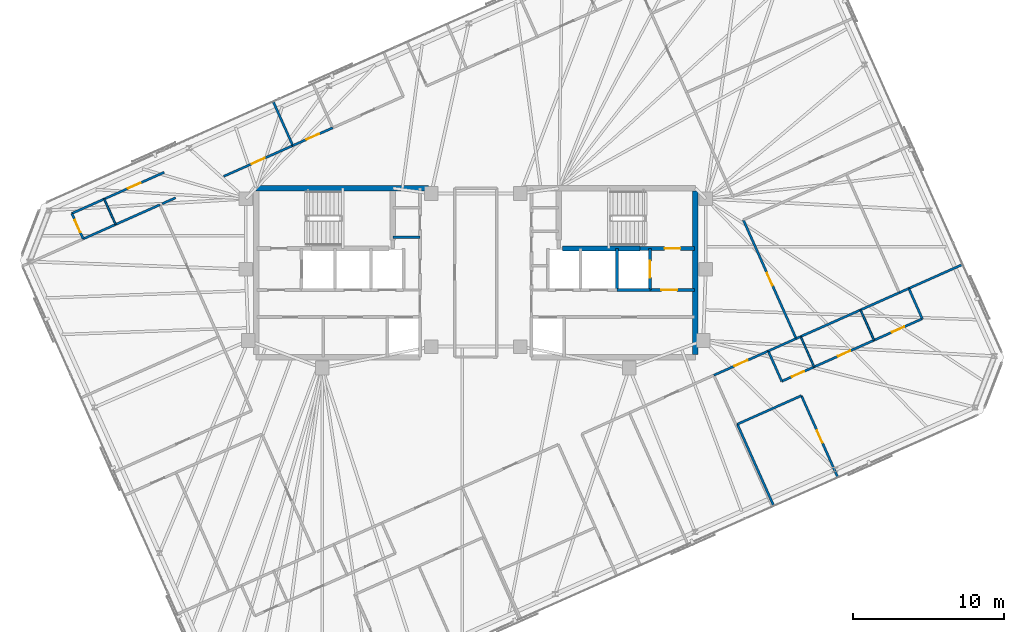
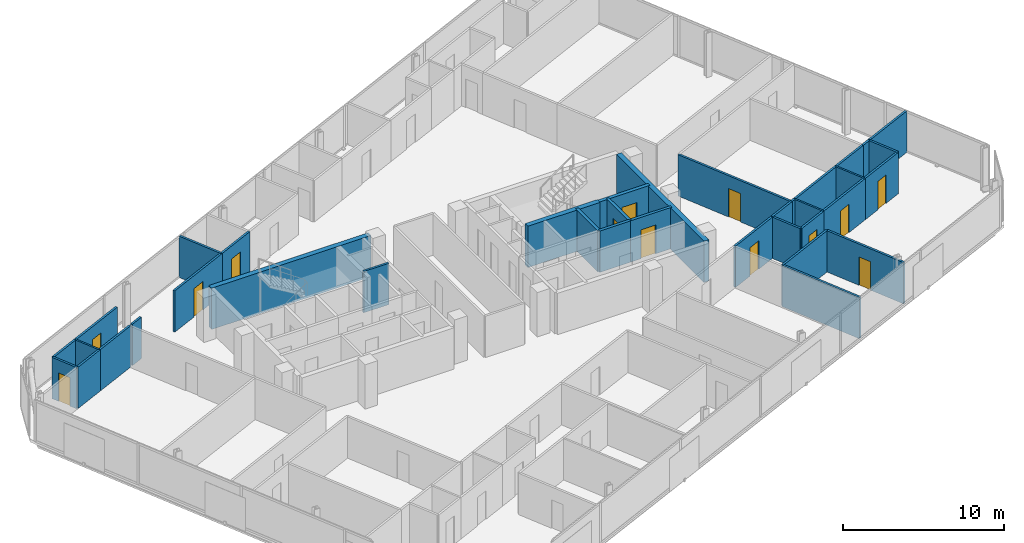
# One storey, part 15 of 18: 37 walls, 13 doors, 13 openings.
"""IFC4 building model written with IfcOpenShell, lengths in metres."""

from ifc_helpers import new_model, si_unit, direction, frame, frame_2d, origin, place, context, subcontext, project, spatial, rectangle, extrude, material, layer, layer_set, type_object, element, fill, save


model = new_model("IFC4")

# Units and contexts
model_context = context("Model", 3, precision=1e-05, world=origin(), true_north=direction((0.0, 1.0)))
body_context = subcontext(model_context, "Body", "Model", "MODEL_VIEW")
ifc_project = project(units=[si_unit("LENGTHUNIT", "METRE"), si_unit("AREAUNIT", "SQUARE_METRE"), si_unit("VOLUMEUNIT", "CUBIC_METRE"), si_unit("PLANEANGLEUNIT", "RADIAN"), si_unit("MASSUNIT", "GRAM", prefix="KILO")], contexts=[model_context])

# Site, building, storey
site_placement = place(None, origin())
site = spatial("IfcSite", under=ifc_project, at=site_placement, CompositionType="ELEMENT")
building_placement = place(site_placement, origin())
building = spatial("IfcBuilding", under=site, at=building_placement, Name="Menara Jurai Vektor", CompositionType="ELEMENT")
storey_placement = place(building_placement, frame((0.0, 0.0, 298.64990234375)))
storey = spatial("IfcBuildingStorey", under=building, at=storey_placement, Name="L80", CompositionType="ELEMENT", Elevation=298.64990234375)

# Wall, opening, door
ifc_material_1 = material(Name="Concrete C40/50", Category="concrete")
ifc_layer_1 = layer(ifc_material_1, 0.25)
ifc_layer_set_1 = layer_set([ifc_layer_1], Name="Concrete C40/50")
wall_type_1 = type_object("IfcWallType", Name="INT-WALL-CORE-250", PredefinedType="STANDARD", material=ifc_layer_set_1)
wall_1_placement = place(storey_placement, frame((10.89990234375, 1.60009765625, 0.0), z_axis=(0.0, 0.0, 1.0), x_axis=(1.0, 0.0, 0.0)))
wall_1 = element("IfcWall", 1, at=wall_1_placement, inside=storey, type_object=wall_type_1, Name="Interior Wall IW-250 L80", PredefinedType="STANDARD", context=body_context, shape_type="SweptSolid", body=[
    extrude(rectangle(XDim=3.60009765625, YDim=0.25, at=frame_2d((1.800048828125, 0.0))), origin(), (0.0, 0.0, 1.0), 3.125),
])
opening_1_placement = place(wall_1_placement, frame((1.6201171875, 0.0, 0.0)))
opening_1 = element("IfcOpeningElement", 2, at=opening_1_placement, cuts=wall_1, Name="Opening D-L80-ST2", PredefinedType="OPENING", context=body_context, shape_type="SweptSolid", body=[
    extrude(rectangle(XDim=1.050048828125, YDim=2.14990234375, at=frame_2d((0.52490234375, 1.074951171875))), frame((0.0, 0.135009765625, 0.0), z_axis=(0.0, -1.0, 0.0), x_axis=(1.0, 0.0, 0.0)), (0.0, 0.0, 1.0), 0.27001953125),
])
ifc_material_2 = material(Name="Fire-Rated Steel Door", Category="steel")
door_type_1 = type_object("IfcDoorType", Name="DR-STAIR-1050", OperationType="NOTDEFINED", PredefinedType="DOOR", material=ifc_material_2)
door_1_placement = place(opening_1_placement, origin())
door_1 = element("IfcDoor", 3, at=door_1_placement, inside=storey, type_object=door_type_1, Name="Exit Stair ST2 Door L80", OperationType="SINGLE_SWING_LEFT", OverallHeight=2.14990234375, OverallWidth=1.050048828125, PredefinedType="DOOR", context=body_context, shape_type="SweptSolid", body=[
    extrude(rectangle(XDim=1.050048828125, YDim=2.14990234375, at=frame_2d((0.52490234375, 1.074951171875))), frame((0.0, 0.02490234375, 0.0), z_axis=(0.0, -1.0, 0.0), x_axis=(1.0, 0.0, 0.0)), (0.0, 0.0, 1.0), 0.050048828125),
])
fill(opening_1, door_1)

wall_2_placement = place(storey_placement, frame((11.550048828125, -1.14990234375, 0.0), z_axis=(0.0, 0.0, 1.0), x_axis=(0.0, 1.0, 0.0)))
wall_2 = element("IfcWall", 4, at=wall_2_placement, inside=storey, type_object=wall_type_1, Name="Interior Wall IW-250 L80", PredefinedType="STANDARD", context=body_context, shape_type="SweptSolid", body=[
    extrude(rectangle(XDim=2.75, YDim=0.199951171875, at=frame_2d((1.375, 0.0))), origin(), (0.0, 0.0, 1.0), 3.125),
])
opening_2_placement = place(wall_2_placement, frame((0.824951171875, 0.0, 0.0)))
opening_2 = element("IfcOpeningElement", 5, at=opening_2_placement, cuts=wall_2, Name="Opening LD-L80-FL2", PredefinedType="OPENING", context=body_context, shape_type="SweptSolid", body=[
    extrude(rectangle(XDim=1.10009765625, YDim=2.14990234375, at=frame_2d((0.550048828125, 1.074951171875))), frame((0.0, 0.10986328125, 0.0), z_axis=(0.0, -1.0, 0.0), x_axis=(1.0, 0.0, 0.0)), (0.0, 0.0, 1.0), 0.219970703125),
])
ifc_material_3 = material(Name="Stainless Steel Sliding Lift Landing Door", Category="steel")
door_type_2 = type_object("IfcDoorType", Name="DR-LIFT-FIRE-1100", OperationType="NOTDEFINED", PredefinedType="DOOR", material=ifc_material_3)
door_2_placement = place(opening_2_placement, origin())
door_2 = element("IfcDoor", 6, at=door_2_placement, inside=storey, type_object=door_type_2, Name="Lift Landing Door FL2 L80", OperationType="SLIDING_TO_RIGHT", OverallHeight=2.14990234375, OverallWidth=1.10009765625, PredefinedType="DOOR", context=body_context, shape_type="SweptSolid", body=[
    extrude(rectangle(XDim=1.10009765625, YDim=2.14990234375, at=frame_2d((0.550048828125, 1.074951171875))), frame((0.0, 0.02490234375, 0.0), z_axis=(0.0, -1.0, 0.0), x_axis=(1.0, 0.0, 0.0)), (0.0, 0.0, 1.0), 0.050048828125),
])
fill(opening_2, door_2)

# Wall
wall_3_placement = place(storey_placement, frame((9.35009765625, -1.14990234375, 0.0), z_axis=(0.0, 0.0, 1.0), x_axis=(0.0, 1.0, 0.0)))
element("IfcWall", 7, at=wall_3_placement, inside=storey, type_object=wall_type_1, Name="Interior Wall IW-250 L80", PredefinedType="STANDARD", context=body_context, shape_type="SweptSolid", body=[
    extrude(rectangle(XDim=2.75, YDim=0.199951171875, at=frame_2d((1.375, 0.0))), origin(), (0.0, 0.0, 1.0), 3.125),
])

# Wall, opening, door
wall_4_placement = place(storey_placement, frame((11.550048828125, -1.14990234375, 0.0), z_axis=(0.0, 0.0, 1.0), x_axis=(1.0, 0.0, 0.0)))
wall_4 = element("IfcWall", 8, at=wall_4_placement, inside=storey, type_object=wall_type_1, Name="Interior Wall IW-250 L80", PredefinedType="STANDARD", context=body_context, shape_type="SweptSolid", body=[
    extrude(rectangle(XDim=2.949951171875, YDim=0.199951171875, at=frame_2d((1.47509765625, 0.0))), origin(), (0.0, 0.0, 1.0), 3.125),
])
opening_3_placement = place(wall_4_placement, frame((0.75, 0.0, 0.0)))
opening_3 = element("IfcOpeningElement", 9, at=opening_3_placement, cuts=wall_4, Name="Opening D-L80-FFE", PredefinedType="OPENING", context=body_context, shape_type="SweptSolid", body=[
    extrude(rectangle(XDim=1.050048828125, YDim=2.179931640625, at=frame_2d((0.52490234375, 1.08984375))), frame((0.0, 0.10986328125, 0.0), z_axis=(0.0, -1.0, 0.0), x_axis=(1.0, 0.0, 0.0)), (0.0, 0.0, 1.0), 0.219970703125),
])
ifc_material_4 = material(Name="Fire-Rated Timber Door", Category="wood")
door_type_3 = type_object("IfcDoorType", Name="DR-LOBBY-1050", OperationType="NOTDEFINED", PredefinedType="DOOR", material=ifc_material_4)
door_3_placement = place(opening_3_placement, origin())
door_3 = element("IfcDoor", 10, at=door_3_placement, inside=storey, type_object=door_type_3, Name="Fire Lift Lobby Door E L80", OperationType="SINGLE_SWING_LEFT", OverallHeight=2.179931640625, OverallWidth=1.050048828125, PredefinedType="DOOR", context=body_context, shape_type="SweptSolid", body=[
    extrude(rectangle(XDim=1.050048828125, YDim=2.179931640625, at=frame_2d((0.52490234375, 1.08984375))), frame((0.0, 0.02490234375, 0.0), z_axis=(0.0, -1.0, 0.0), x_axis=(1.0, 0.0, 0.0)), (0.0, 0.0, 1.0), 0.050048828125),
])
fill(opening_3, door_3)

# Walls
wall_5_placement = place(storey_placement, frame((9.35009765625, -1.14990234375, 0.0), z_axis=(0.0, 0.0, 1.0), x_axis=(1.0, 0.0, 0.0)))
element("IfcWall", 11, at=wall_5_placement, inside=storey, type_object=wall_type_1, Name="Interior Wall IW-250 L80", PredefinedType="STANDARD", context=body_context, shape_type="SweptSolid", body=[
    extrude(rectangle(XDim=2.199951171875, YDim=0.199951171875, at=frame_2d((1.10009765625, 0.0))), origin(), (0.0, 0.0, 1.0), 3.125),
])
ifc_material_5 = material(Name="Gypsum Fireboard Partition", Category="gypsum")
ifc_layer_2 = layer(ifc_material_5, 0.14990234375)
ifc_layer_set_2 = layer_set([ifc_layer_2], Name="Gypsum Fireboard Partition")
wall_type_2 = type_object("IfcWallType", Name="INT-WALL-CORR-150", PredefinedType="PARTITIONING", material=ifc_layer_set_2)
wall_6_placement = place(storey_placement, frame((-5.5, 2.35009765625, 0.0), z_axis=(0.0, 0.0, 1.0), x_axis=(1.0, 0.0, 0.0)))
element("IfcWall", 12, at=wall_6_placement, inside=storey, type_object=wall_type_2, Name="Interior Wall IW-150 L80", PredefinedType="PARTITIONING", context=body_context, shape_type="SweptSolid", body=[
    extrude(rectangle(XDim=1.800048828125, YDim=0.14990234375, at=frame_2d((0.89990234375, 0.0))), origin(), (0.0, 0.0, 1.0), 3.125),
])

# Wall, opening, door
wall_7_placement = place(storey_placement, frame((-16.715576171875, 6.38671875, 0.0), z_axis=(0.0, 0.0, 1.0), x_axis=(0.913548379071, 0.406730081378, 0.0)))
wall_7 = element("IfcWall", 13, at=wall_7_placement, inside=storey, type_object=wall_type_2, Name="Interior Wall IW-150 L80", PredefinedType="PARTITIONING", context=body_context, shape_type="SweptSolid", body=[
    extrude(rectangle(XDim=5.01513671875, YDim=0.14990234375, at=frame_2d((2.507568359375, 0.0))), origin(), (0.0, 0.0, 1.0), 3.125),
])
opening_4_placement = place(wall_7_placement, frame((2.032470703125, 0.0, 0.0)))
opening_4 = element("IfcOpeningElement", 14, at=opening_4_placement, cuts=wall_7, Name="Opening D80-10", PredefinedType="OPENING", context=body_context, shape_type="SweptSolid", body=[
    extrude(rectangle(XDim=0.949951171875, YDim=2.14990234375, at=frame_2d((0.47509765625, 1.074951171875))), frame((0.0, 0.0849609375, 0.0), z_axis=(0.0, -1.0, 0.0), x_axis=(1.0, 0.0, 0.0)), (0.0, 0.0, 1.0), 0.169921875),
])
ifc_material_6 = material(Name="Solid Core Timber Fire Door", Category="wood")
door_type_4 = type_object("IfcDoorType", Name="DR-ENTRY-950", OperationType="NOTDEFINED", PredefinedType="DOOR", material=ifc_material_6)
door_4_placement = place(opening_4_placement, origin())
door_4 = element("IfcDoor", 15, at=door_4_placement, inside=storey, type_object=door_type_4, Name="Interior Door D80-10", OperationType="SINGLE_SWING_RIGHT", OverallHeight=2.14990234375, OverallWidth=0.949951171875, PredefinedType="DOOR", context=body_context, shape_type="SweptSolid", body=[
    extrude(rectangle(XDim=0.949951171875, YDim=2.14990234375, at=frame_2d((0.47509765625, 1.074951171875))), frame((0.0, 0.02490234375, 0.0), z_axis=(0.0, -1.0, 0.0), x_axis=(1.0, 0.0, 0.0)), (0.0, 0.0, 1.0), 0.050048828125),
])
fill(opening_4, door_4)

# Wall
wall_8_placement = place(storey_placement, frame((-20.7998046875, 4.568115234375, 0.0), z_axis=(0.0, 0.0, 1.0), x_axis=(0.91350021443, 0.406838245788, 0.0)))
element("IfcWall", 16, at=wall_8_placement, inside=storey, type_object=wall_type_2, Name="Interior Wall IW-150 L80", PredefinedType="PARTITIONING", context=body_context, shape_type="SweptSolid", body=[
    extrude(rectangle(XDim=0.970947265625, YDim=0.14990234375, at=frame_2d((0.4853515625, 0.0))), origin(), (0.0, 0.0, 1.0), 3.125),
])

# Wall, opening, door
wall_9_placement = place(storey_placement, frame((15.787109375, -6.80029296875, 0.0), z_axis=(0.0, 0.0, 1.0), x_axis=(0.913558844356, 0.406706574693, 0.0)))
wall_9 = element("IfcWall", 17, at=wall_9_placement, inside=storey, type_object=wall_type_2, Name="Interior Wall IW-150 L80", PredefinedType="PARTITIONING", context=body_context, shape_type="SweptSolid", body=[
    extrude(rectangle(XDim=3.94677734375, YDim=0.14990234375, at=frame_2d((1.973388671875, 0.0))), origin(), (0.0, 0.0, 1.0), 3.125),
])
opening_5_placement = place(wall_9_placement, frame((1.49853515625, 0.0, 0.0)))
opening_5 = element("IfcOpeningElement", 18, at=opening_5_placement, cuts=wall_9, Name="Opening D80-22", PredefinedType="OPENING", context=body_context, shape_type="SweptSolid", body=[
    extrude(rectangle(XDim=0.949951171875, YDim=2.14990234375, at=frame_2d((0.47509765625, 1.074951171875))), frame((0.0, 0.0849609375, 0.0), z_axis=(0.0, -1.0, 0.0), x_axis=(1.0, 0.0, 0.0)), (0.0, 0.0, 1.0), 0.169921875),
])
door_5_placement = place(opening_5_placement, origin())
door_5 = element("IfcDoor", 19, at=door_5_placement, inside=storey, type_object=door_type_4, Name="Interior Door D80-22", OperationType="SINGLE_SWING_RIGHT", OverallHeight=2.14990234375, OverallWidth=0.949951171875, PredefinedType="DOOR", context=body_context, shape_type="SweptSolid", body=[
    extrude(rectangle(XDim=0.949951171875, YDim=2.14990234375, at=frame_2d((0.47509765625, 1.074951171875))), frame((0.0, 0.02490234375, 0.0), z_axis=(0.0, -1.0, 0.0), x_axis=(1.0, 0.0, 0.0)), (0.0, 0.0, 1.0), 0.050048828125),
])
fill(opening_5, door_5)

# Wall
wall_10_placement = place(storey_placement, frame((19.392822265625, -5.195068359375, 0.0), z_axis=(0.0, 0.0, 1.0), x_axis=(0.91354290336, 0.406742380039, 0.0)))
element("IfcWall", 20, at=wall_10_placement, inside=storey, type_object=wall_type_2, Name="Interior Wall IW-150 L80", PredefinedType="PARTITIONING", context=body_context, shape_type="SweptSolid", body=[
    extrude(rectangle(XDim=2.025146484375, YDim=0.14990234375, at=frame_2d((1.0126953125, 0.0))), origin(), (0.0, 0.0, 1.0), 3.125),
])

# Wall, opening, door
wall_11_placement = place(storey_placement, frame((-12.134033203125, 8.426513671875, 0.0), z_axis=(0.0, 0.0, 1.0), x_axis=(0.913543011099, 0.406742138059, 0.0)))
wall_11 = element("IfcWall", 21, at=wall_11_placement, inside=storey, type_object=wall_type_2, Name="Interior Wall IW-150 L80", PredefinedType="PARTITIONING", context=body_context, shape_type="SweptSolid", body=[
    extrude(rectangle(XDim=2.888916015625, YDim=0.14990234375, at=frame_2d((1.4443359375, 0.0))), origin(), (0.0, 0.0, 1.0), 3.125),
])
opening_6_placement = place(wall_11_placement, frame((0.984619140625, 0.0, 0.0)))
opening_6 = element("IfcOpeningElement", 22, at=opening_6_placement, cuts=wall_11, Name="Opening D80-35", PredefinedType="OPENING", context=body_context, shape_type="SweptSolid", body=[
    extrude(rectangle(XDim=0.919921875, YDim=2.14990234375, at=frame_2d((0.4599609375, 1.074951171875))), frame((0.0, 0.0849609375, 0.0), z_axis=(0.0, -1.0, 0.0), x_axis=(1.0, 0.0, 0.0)), (0.0, 0.0, 1.0), 0.169921875),
])
door_6_placement = place(opening_6_placement, origin())
door_6 = element("IfcDoor", 23, at=door_6_placement, inside=storey, type_object=door_type_4, Name="Interior Door D80-35", OperationType="SINGLE_SWING_LEFT", OverallHeight=2.14990234375, OverallWidth=0.919921875, PredefinedType="DOOR", context=body_context, shape_type="SweptSolid", body=[
    extrude(rectangle(XDim=0.919921875, YDim=2.14990234375, at=frame_2d((0.4599609375, 1.074951171875))), frame((0.0, 0.02490234375, 0.0), z_axis=(0.0, -1.0, 0.0), x_axis=(1.0, 0.0, 0.0)), (0.0, 0.0, 1.0), 0.050048828125),
])
fill(opening_6, door_6)

wall_12_placement = place(storey_placement, frame((21.242919921875, -4.371337890625, 0.0), z_axis=(0.0, 0.0, 1.0), x_axis=(-0.406751025101, 0.913539054217, 0.0)))
wall_12 = element("IfcWall", 24, at=wall_12_placement, inside=storey, type_object=wall_type_2, Name="Interior Wall IW-150 L80", PredefinedType="PARTITIONING", context=body_context, shape_type="SweptSolid", body=[
    extrude(rectangle(XDim=8.614990234375, YDim=0.14990234375, at=frame_2d((4.3076171875, 0.0))), origin(), (0.0, 0.0, 1.0), 3.125),
])
opening_7_placement = place(wall_12_placement, frame((3.847412109375, 0.0, 0.0)))
opening_7 = element("IfcOpeningElement", 25, at=opening_7_placement, cuts=wall_12, Name="Opening D80-39", PredefinedType="OPENING", context=body_context, shape_type="SweptSolid", body=[
    extrude(rectangle(XDim=0.919921875, YDim=2.14990234375, at=frame_2d((0.4599609375, 1.074951171875))), frame((0.0, 0.0849609375, 0.0), z_axis=(0.0, -1.0, 0.0), x_axis=(1.0, 0.0, 0.0)), (0.0, 0.0, 1.0), 0.169921875),
])
door_7_placement = place(opening_7_placement, origin())
door_7 = element("IfcDoor", 26, at=door_7_placement, inside=storey, type_object=door_type_4, Name="Interior Door D80-39", OperationType="SINGLE_SWING_LEFT", OverallHeight=2.14990234375, OverallWidth=0.919921875, PredefinedType="DOOR", context=body_context, shape_type="SweptSolid", body=[
    extrude(rectangle(XDim=0.919921875, YDim=2.14990234375, at=frame_2d((0.4599609375, 1.074951171875))), frame((0.0, 0.02490234375, 0.0), z_axis=(0.0, -1.0, 0.0), x_axis=(1.0, 0.0, 0.0)), (0.0, 0.0, 1.0), 0.050048828125),
])
fill(opening_7, door_7)

wall_13_placement = place(storey_placement, frame((-26.03369140625, 2.238037109375, 0.0), z_axis=(0.0, 0.0, 1.0), x_axis=(-0.406750635596, 0.913539227643, 0.0)))
wall_13 = element("IfcWall", 27, at=wall_13_placement, inside=storey, type_object=wall_type_2, Name="Interior Wall IW-150 L80", PredefinedType="PARTITIONING", context=body_context, shape_type="SweptSolid", body=[
    extrude(rectangle(XDim=1.849853515625, YDim=0.14990234375, at=frame_2d((0.9248046875, 0.0))), origin(), (0.0, 0.0, 1.0), 3.125),
])
opening_8_placement = place(wall_13_placement, frame((0.485107421875, 0.0, 0.0)))
opening_8 = element("IfcOpeningElement", 28, at=opening_8_placement, cuts=wall_13, Name="Opening D80-11", PredefinedType="OPENING", context=body_context, shape_type="SweptSolid", body=[
    extrude(rectangle(XDim=0.8798828125, YDim=2.14990234375, at=frame_2d((0.43994140625, 1.074951171875))), frame((0.0, 0.0849609375, 0.0), z_axis=(0.0, -1.0, 0.0), x_axis=(1.0, 0.0, 0.0)), (0.0, 0.0, 1.0), 0.169921875),
])
ifc_material_7 = material(Name="Moisture-Resistant Timber Door", Category="wood")
door_type_5 = type_object("IfcDoorType", Name="DR-BATH-880", OperationType="NOTDEFINED", PredefinedType="DOOR", material=ifc_material_7)
door_8_placement = place(opening_8_placement, origin())
door_8 = element("IfcDoor", 29, at=door_8_placement, inside=storey, type_object=door_type_5, Name="Interior Door D80-11", OperationType="SINGLE_SWING_LEFT", OverallHeight=2.14990234375, OverallWidth=0.8798828125, PredefinedType="DOOR", context=body_context, shape_type="SweptSolid", body=[
    extrude(rectangle(XDim=0.8798828125, YDim=2.14990234375, at=frame_2d((0.43994140625, 1.074951171875))), frame((0.0, 0.02490234375, 0.0), z_axis=(0.0, -1.0, 0.0), x_axis=(1.0, 0.0, 0.0)), (0.0, 0.0, 1.0), 0.050048828125),
])
fill(opening_8, door_8)

# Wall
wall_14_placement = place(storey_placement, frame((-26.7861328125, 3.927978515625, 0.0), z_axis=(0.0, 0.0, 1.0), x_axis=(0.913541436194, 0.406745675276, 0.0)))
element("IfcWall", 30, at=wall_14_placement, inside=storey, type_object=wall_type_2, Name="Interior Wall IW-150 L80", PredefinedType="PARTITIONING", context=body_context, shape_type="SweptSolid", body=[
    extrude(rectangle(XDim=2.349853515625, YDim=0.14990234375, at=frame_2d((1.1748046875, 0.0))), origin(), (0.0, 0.0, 1.0), 3.125),
])

# Wall, opening, door
wall_15_placement = place(storey_placement, frame((-24.639404296875, 4.8837890625, 0.0), z_axis=(0.0, 0.0, 1.0), x_axis=(0.913533624044, 0.406763220732, 0.0)))
wall_15 = element("IfcWall", 31, at=wall_15_placement, inside=storey, type_object=wall_type_2, Name="Interior Wall IW-150 L80", PredefinedType="PARTITIONING", context=body_context, shape_type="SweptSolid", body=[
    extrude(rectangle(XDim=4.350341796875, YDim=0.14990234375, at=frame_2d((2.17529296875, 0.0))), origin(), (0.0, 0.0, 1.0), 3.125),
])
opening_9_placement = place(wall_15_placement, frame((1.72509765625, 0.0, 0.0)))
opening_9 = element("IfcOpeningElement", 32, at=opening_9_placement, cuts=wall_15, Name="Opening D80-12", PredefinedType="OPENING", context=body_context, shape_type="SweptSolid", body=[
    extrude(rectangle(XDim=0.89990234375, YDim=2.14990234375, at=frame_2d((0.449951171875, 1.074951171875))), frame((0.0, 0.0849609375, 0.0), z_axis=(0.0, -1.0, 0.0), x_axis=(1.0, 0.0, 0.0)), (0.0, 0.0, 1.0), 0.169921875),
])
ifc_material_8 = material(Name="Acoustic Timber Interior Door", Category="wood")
door_type_6 = type_object("IfcDoorType", Name="DR-ROOM-900", OperationType="NOTDEFINED", PredefinedType="DOOR", material=ifc_material_8)
door_9_placement = place(opening_9_placement, origin())
door_9 = element("IfcDoor", 33, at=door_9_placement, inside=storey, type_object=door_type_6, Name="Interior Door D80-12", OperationType="SINGLE_SWING_RIGHT", OverallHeight=2.14990234375, OverallWidth=0.89990234375, PredefinedType="DOOR", context=body_context, shape_type="SweptSolid", body=[
    extrude(rectangle(XDim=0.89990234375, YDim=2.14990234375, at=frame_2d((0.449951171875, 1.074951171875))), frame((0.0, 0.02490234375, 0.0), z_axis=(0.0, -1.0, 0.0), x_axis=(1.0, 0.0, 0.0)), (0.0, 0.0, 1.0), 0.050048828125),
])
fill(opening_9, door_9)

# Walls
wall_16_placement = place(storey_placement, frame((-12.134033203125, 8.426513671875, 0.0), z_axis=(0.0, 0.0, 1.0), x_axis=(-0.406761717745, 0.913534293268, 0.0)))
element("IfcWall", 34, at=wall_16_placement, inside=storey, type_object=wall_type_2, Name="Interior Wall IW-150 L80", PredefinedType="PARTITIONING", context=body_context, shape_type="SweptSolid", body=[
    extrude(rectangle(XDim=3.197998046875, YDim=0.14990234375, at=frame_2d((1.59912109375, 0.0))), origin(), (0.0, 0.0, 1.0), 3.125),
])
wall_17_placement = place(storey_placement, frame((-26.03369140625, 2.238037109375, 0.0), z_axis=(0.0, 0.0, 1.0), x_axis=(0.913558622212, 0.406707073682, 0.0)))
element("IfcWall", 35, at=wall_17_placement, inside=storey, type_object=wall_type_2, Name="Interior Wall IW-150 L80", PredefinedType="PARTITIONING", context=body_context, shape_type="SweptSolid", body=[
    extrude(rectangle(XDim=2.35009765625, YDim=0.14990234375, at=frame_2d((1.175048828125, 0.0))), origin(), (0.0, 0.0, 1.0), 3.125),
])
wall_18_placement = place(storey_placement, frame((-23.88671875, 3.19384765625, 0.0), z_axis=(0.0, 0.0, 1.0), x_axis=(0.913560683434, 0.406702443665, 0.0)))
element("IfcWall", 36, at=wall_18_placement, inside=storey, type_object=wall_type_2, Name="Interior Wall IW-150 L80", PredefinedType="PARTITIONING", context=body_context, shape_type="SweptSolid", body=[
    extrude(rectangle(XDim=3.212646484375, YDim=0.14990234375, at=frame_2d((1.6064453125, 0.0))), origin(), (0.0, 0.0, 1.0), 3.125),
])
wall_19_placement = place(storey_placement, frame((20.287841796875, -7.204833984375, 0.0), z_axis=(0.0, 0.0, 1.0), x_axis=(-0.406817905151, 0.913509273105, 0.0)))
element("IfcWall", 37, at=wall_19_placement, inside=storey, type_object=wall_type_2, Name="Interior Wall IW-150 L80", PredefinedType="PARTITIONING", context=body_context, shape_type="SweptSolid", body=[
    extrude(rectangle(XDim=2.199951171875, YDim=0.14990234375, at=frame_2d((1.10009765625, 0.0))), origin(), (0.0, 0.0, 1.0), 3.125),
])

# Wall, opening, door
wall_20_placement = place(storey_placement, frame((20.287841796875, -7.204833984375, 0.0), z_axis=(0.0, 0.0, 1.0), x_axis=(0.913541436194, 0.406745675276, 0.0)))
wall_20 = element("IfcWall", 38, at=wall_20_placement, inside=storey, type_object=wall_type_2, Name="Interior Wall IW-150 L80", PredefinedType="PARTITIONING", context=body_context, shape_type="SweptSolid", body=[
    extrude(rectangle(XDim=2.349853515625, YDim=0.14990234375, at=frame_2d((1.1748046875, 0.0))), origin(), (0.0, 0.0, 1.0), 3.125),
])
opening_10_placement = place(wall_20_placement, frame((0.735107421875, 0.0, 0.0)))
opening_10 = element("IfcOpeningElement", 39, at=opening_10_placement, cuts=wall_20, Name="Opening D80-23", PredefinedType="OPENING", context=body_context, shape_type="SweptSolid", body=[
    extrude(rectangle(XDim=0.8798828125, YDim=2.14990234375, at=frame_2d((0.43994140625, 1.074951171875))), frame((0.0, 0.0849609375, 0.0), z_axis=(0.0, -1.0, 0.0), x_axis=(1.0, 0.0, 0.0)), (0.0, 0.0, 1.0), 0.169921875),
])
door_10_placement = place(opening_10_placement, origin())
door_10 = element("IfcDoor", 40, at=door_10_placement, inside=storey, type_object=door_type_5, Name="Interior Door D80-23", OperationType="SINGLE_SWING_LEFT", OverallHeight=2.14990234375, OverallWidth=0.8798828125, PredefinedType="DOOR", context=body_context, shape_type="SweptSolid", body=[
    extrude(rectangle(XDim=0.8798828125, YDim=2.14990234375, at=frame_2d((0.43994140625, 1.074951171875))), frame((0.0, 0.02490234375, 0.0), z_axis=(0.0, -1.0, 0.0), x_axis=(1.0, 0.0, 0.0)), (0.0, 0.0, 1.0), 0.050048828125),
])
fill(opening_10, door_10)

wall_21_placement = place(storey_placement, frame((22.4345703125, -6.2490234375, 0.0), z_axis=(0.0, 0.0, 1.0), x_axis=(0.913545193015, 0.406737237438, 0.0)))
wall_21 = element("IfcWall", 41, at=wall_21_placement, inside=storey, type_object=wall_type_2, Name="Interior Wall IW-150 L80", PredefinedType="PARTITIONING", context=body_context, shape_type="SweptSolid", body=[
    extrude(rectangle(XDim=4.349853515625, YDim=0.14990234375, at=frame_2d((2.1748046875, 0.0))), origin(), (0.0, 0.0, 1.0), 3.125),
])
opening_11_placement = place(wall_21_placement, frame((1.72509765625, 0.0, 0.0)))
opening_11 = element("IfcOpeningElement", 42, at=opening_11_placement, cuts=wall_21, Name="Opening D80-24", PredefinedType="OPENING", context=body_context, shape_type="SweptSolid", body=[
    extrude(rectangle(XDim=0.89990234375, YDim=2.14990234375, at=frame_2d((0.449951171875, 1.074951171875))), frame((0.0, 0.0849609375, 0.0), z_axis=(0.0, -1.0, 0.0), x_axis=(1.0, 0.0, 0.0)), (0.0, 0.0, 1.0), 0.169921875),
])
door_11_placement = place(opening_11_placement, origin())
door_11 = element("IfcDoor", 43, at=door_11_placement, inside=storey, type_object=door_type_6, Name="Interior Door D80-24", OperationType="SINGLE_SWING_RIGHT", OverallHeight=2.14990234375, OverallWidth=0.89990234375, PredefinedType="DOOR", context=body_context, shape_type="SweptSolid", body=[
    extrude(rectangle(XDim=0.89990234375, YDim=2.14990234375, at=frame_2d((0.449951171875, 1.074951171875))), frame((0.0, 0.02490234375, 0.0), z_axis=(0.0, -1.0, 0.0), x_axis=(1.0, 0.0, 0.0)), (0.0, 0.0, 1.0), 0.050048828125),
])
fill(opening_11, door_11)

wall_22_placement = place(storey_placement, frame((26.408447265625, -4.479736328125, 0.0), z_axis=(0.0, 0.0, 1.0), x_axis=(0.913549606868, 0.406727323635, 0.0)))
wall_22 = element("IfcWall", 44, at=wall_22_placement, inside=storey, type_object=wall_type_2, Name="Interior Wall IW-150 L80", PredefinedType="PARTITIONING", context=body_context, shape_type="SweptSolid", body=[
    extrude(rectangle(XDim=3.5, YDim=0.14990234375, at=frame_2d((1.75, 0.0))), origin(), (0.0, 0.0, 1.0), 3.125),
])
opening_12_placement = place(wall_22_placement, frame((1.31005859375, 0.0, 0.0)))
opening_12 = element("IfcOpeningElement", 45, at=opening_12_placement, cuts=wall_22, Name="Opening D80-25", PredefinedType="OPENING", context=body_context, shape_type="SweptSolid", body=[
    extrude(rectangle(XDim=0.8798828125, YDim=2.14990234375, at=frame_2d((0.43994140625, 1.074951171875))), frame((0.0, 0.0849609375, 0.0), z_axis=(0.0, -1.0, 0.0), x_axis=(1.0, 0.0, 0.0)), (0.0, 0.0, 1.0), 0.169921875),
])
door_12_placement = place(opening_12_placement, origin())
door_12 = element("IfcDoor", 46, at=door_12_placement, inside=storey, type_object=door_type_5, Name="Interior Door D80-25", OperationType="SINGLE_SWING_LEFT", OverallHeight=2.14990234375, OverallWidth=0.8798828125, PredefinedType="DOOR", context=body_context, shape_type="SweptSolid", body=[
    extrude(rectangle(XDim=0.8798828125, YDim=2.14990234375, at=frame_2d((0.43994140625, 1.074951171875))), frame((0.0, 0.02490234375, 0.0), z_axis=(0.0, -1.0, 0.0), x_axis=(1.0, 0.0, 0.0)), (0.0, 0.0, 1.0), 0.050048828125),
])
fill(opening_12, door_12)

# Walls
wall_23_placement = place(storey_placement, frame((29.60595703125, -3.05615234375, 0.0), z_axis=(0.0, 0.0, 1.0), x_axis=(-0.406725294076, 0.913550510459, 0.0)))
element("IfcWall", 47, at=wall_23_placement, inside=storey, type_object=wall_type_2, Name="Interior Wall IW-150 L80", PredefinedType="PARTITIONING", context=body_context, shape_type="SweptSolid", body=[
    extrude(rectangle(XDim=2.199951171875, YDim=0.14990234375, at=frame_2d((1.10009765625, 0.0))), origin(), (0.0, 0.0, 1.0), 3.125),
])
wall_24_placement = place(storey_placement, frame((19.7568359375, -15.470458984375, 0.0), z_axis=(0.0, 0.0, 1.0), x_axis=(-0.406749048544, 0.913539934271, 0.0)))
element("IfcWall", 48, at=wall_24_placement, inside=storey, type_object=wall_type_2, Name="Interior Wall IW-150 L80", PredefinedType="PARTITIONING", context=body_context, shape_type="SweptSolid", body=[
    extrude(rectangle(XDim=5.93505859375, YDim=0.14990234375, at=frame_2d((2.967529296875, 0.0))), origin(), (0.0, 0.0, 1.0), 3.125),
])
wall_25_placement = place(storey_placement, frame((17.3427734375, -10.048583984375, 0.0), z_axis=(0.0, 0.0, 1.0), x_axis=(0.913525541207, 0.406781373176, 0.0)))
element("IfcWall", 49, at=wall_25_placement, inside=storey, type_object=wall_type_2, Name="Interior Wall IW-150 L80", PredefinedType="PARTITIONING", context=body_context, shape_type="SweptSolid", body=[
    extrude(rectangle(XDim=4.650146484375, YDim=0.14990234375, at=frame_2d((2.3251953125, 0.0))), origin(), (0.0, 0.0, 1.0), 3.125),
])

# Wall, opening, door
wall_26_placement = place(storey_placement, frame((24.0048828125, -13.5791015625, 0.0), z_axis=(0.0, 0.0, 1.0), x_axis=(-0.406733763825, 0.913546739562, 0.0)))
wall_26 = element("IfcWall", 50, at=wall_26_placement, inside=storey, type_object=wall_type_2, Name="Interior Wall IW-150 L80", PredefinedType="PARTITIONING", context=body_context, shape_type="SweptSolid", body=[
    extrude(rectangle(XDim=5.935302734375, YDim=0.14990234375, at=frame_2d((2.9677734375, 0.0))), origin(), (0.0, 0.0, 1.0), 3.125),
])
opening_13_placement = place(wall_26_placement, frame((2.517578125, 0.0, 0.0)))
opening_13 = element("IfcOpeningElement", 51, at=opening_13_placement, cuts=wall_26, Name="Opening D80-26", PredefinedType="OPENING", context=body_context, shape_type="SweptSolid", body=[
    extrude(rectangle(XDim=0.89990234375, YDim=2.14990234375, at=frame_2d((0.449951171875, 1.074951171875))), frame((0.0, 0.0849609375, 0.0), z_axis=(0.0, -1.0, 0.0), x_axis=(1.0, 0.0, 0.0)), (0.0, 0.0, 1.0), 0.169921875),
])
door_13_placement = place(opening_13_placement, origin())
door_13 = element("IfcDoor", 52, at=door_13_placement, inside=storey, type_object=door_type_6, Name="Interior Door D80-26", OperationType="SINGLE_SWING_RIGHT", OverallHeight=2.14990234375, OverallWidth=0.89990234375, PredefinedType="DOOR", context=body_context, shape_type="SweptSolid", body=[
    extrude(rectangle(XDim=0.89990234375, YDim=2.14990234375, at=frame_2d((0.449951171875, 1.074951171875))), frame((0.0, 0.02490234375, 0.0), z_axis=(0.0, -1.0, 0.0), x_axis=(1.0, 0.0, 0.0)), (0.0, 0.0, 1.0), 0.050048828125),
])
fill(opening_13, door_13)

# Walls
wall_27_placement = place(storey_placement, frame((28.711181640625, -1.04638671875, 0.0), z_axis=(0.0, 0.0, 1.0), x_axis=(0.913523164096, 0.406786711508, 0.0)))
element("IfcWall", 53, at=wall_27_placement, inside=storey, type_object=wall_type_2, Name="Interior Wall IW-150 L80", PredefinedType="PARTITIONING", context=body_context, shape_type="SweptSolid", body=[
    extrude(rectangle(XDim=3.9130859375, YDim=0.14990234375, at=frame_2d((1.95654296875, 0.0))), origin(), (0.0, 0.0, 1.0), 3.125),
])
wall_28_placement = place(storey_placement, frame((21.242919921875, -4.371337890625, 0.0), z_axis=(0.0, 0.0, 1.0), x_axis=(0.913656562077, 0.406487006648, 0.0)))
element("IfcWall", 54, at=wall_28_placement, inside=storey, type_object=wall_type_2, Name="Interior Wall IW-150 L80", PredefinedType="PARTITIONING", context=body_context, shape_type="SweptSolid", body=[
    extrude(rectangle(XDim=0.324951171875, YDim=0.14990234375, at=frame_2d((0.16259765625, 0.0))), origin(), (0.0, 0.0, 1.0), 3.125),
])
wall_29_placement = place(storey_placement, frame((21.539794921875, -4.2392578125, 0.0), z_axis=(0.0, 0.0, 1.0), x_axis=(0.913545193015, 0.406737237438, 0.0)))
element("IfcWall", 55, at=wall_29_placement, inside=storey, type_object=wall_type_2, Name="Interior Wall IW-150 L80", PredefinedType="PARTITIONING", context=body_context, shape_type="SweptSolid", body=[
    extrude(rectangle(XDim=4.349853515625, YDim=0.14990234375, at=frame_2d((2.1748046875, 0.0))), origin(), (0.0, 0.0, 1.0), 3.125),
])
wall_30_placement = place(storey_placement, frame((25.513671875, -2.469970703125, 0.0), z_axis=(0.0, 0.0, 1.0), x_axis=(0.913531886701, 0.406767122542, 0.0)))
element("IfcWall", 56, at=wall_30_placement, inside=storey, type_object=wall_type_2, Name="Interior Wall IW-150 L80", PredefinedType="PARTITIONING", context=body_context, shape_type="SweptSolid", body=[
    extrude(rectangle(XDim=2.81005859375, YDim=0.14990234375, at=frame_2d((1.405029296875, 0.0))), origin(), (0.0, 0.0, 1.0), 3.125),
])
wall_31_placement = place(storey_placement, frame((28.080810546875, -1.326904296875, 0.0), z_axis=(0.0, 0.0, 1.0), x_axis=(0.9136217601, 0.406565221671, 0.0)))
element("IfcWall", 57, at=wall_31_placement, inside=storey, type_object=wall_type_2, Name="Interior Wall IW-150 L80", PredefinedType="PARTITIONING", context=body_context, shape_type="SweptSolid", body=[
    extrude(rectangle(XDim=0.68994140625, YDim=0.14990234375, at=frame_2d((0.344970703125, 0.0))), origin(), (0.0, 0.0, 1.0), 3.125),
])
ifc_material_9 = material(Name="Gypsum Acoustic Stud Partition", Category="gypsum")
ifc_layer_3 = layer(ifc_material_9, 0.1201171875)
ifc_layer_set_3 = layer_set([ifc_layer_3], Name="Gypsum Acoustic Stud Partition")
wall_type_3 = type_object("IfcWallType", Name="INT-WALL-PART-120", PredefinedType="PARTITIONING", material=ifc_layer_set_3)
wall_32_placement = place(storey_placement, frame((-23.88671875, 3.19384765625, 0.0), z_axis=(0.0, 0.0, 1.0), x_axis=(-0.406860767979, 0.913490183571, 0.0)))
element("IfcWall", 58, at=wall_32_placement, inside=storey, type_object=wall_type_3, Name="Interior Wall IW-120 L80", PredefinedType="PARTITIONING", context=body_context, shape_type="SweptSolid", body=[
    extrude(rectangle(XDim=1.85009765625, YDim=0.1201171875, at=frame_2d((0.925048828125, 0.0))), origin(), (0.0, 0.0, 1.0), 3.125),
])
for number, where, z_axis, x_axis, name in (
    (59, (22.4345703125, -6.2490234375, 0.0), (0.0, 0.0, 1.0), (-0.406725294076, 0.913550510459, 0.0), "Interior Wall IW-120 L80"),
    (60, (26.408447265625, -4.479736328125, 0.0), (0.0, 0.0, 1.0), (-0.406725294076, 0.913550510459, 0.0), "Interior Wall IW-120 L80"),
):
    element("IfcWall", number, at=place(storey_placement, frame(where, z_axis=z_axis, x_axis=x_axis)), inside=storey, type_object=wall_type_3, Name=name, PredefinedType="PARTITIONING", context=body_context, shape_type="SweptSolid", body=[
        extrude(rectangle(XDim=2.199951171875, YDim=0.1201171875, at=frame_2d((1.10009765625, 0.0))), origin(), (0.0, 0.0, 1.0), 3.125),
    ])
ifc_material_10 = material(Name="Concrete C50/60", Category="concrete")
ifc_layer_4 = layer(ifc_material_10, 0.35009765625)
ifc_layer_set_4 = layer_set([ifc_layer_4], Name="Concrete C50/60")
wall_type_4 = type_object("IfcWallType", Name="STR-WALL-CORE350", PredefinedType="SHEAR", material=ifc_layer_set_4)
wall_33_placement = place(storey_placement, frame((-14.56005859375, 5.60009765625, 0.0), z_axis=(0.0, 0.0, 1.0), x_axis=(1.0, 0.0, 0.0)))
element("IfcWall", 61, at=wall_33_placement, inside=storey, type_object=wall_type_4, Name="Core Shear Wall CW-W-N L80", PredefinedType="SHEAR", context=body_context, shape_type="SweptSolid", body=[
    extrude(rectangle(XDim=11.41015625, YDim=0.35009765625, at=frame_2d((5.705078125, 0.0))), origin(), (0.0, 0.0, 1.0), 3.125),
])
wall_34_placement = place(storey_placement, frame((14.56005859375, -5.425048828125, 0.0), z_axis=(0.0, 0.0, 1.0), x_axis=(0.0, 1.0, 0.0)))
element("IfcWall", 62, at=wall_34_placement, inside=storey, type_object=wall_type_4, Name="Core Shear Wall CW-E-E L80", PredefinedType="SHEAR", context=body_context, shape_type="SweptSolid", body=[
    extrude(rectangle(XDim=10.85009765625, YDim=0.35009765625, at=frame_2d((5.425048828125, 0.0))), origin(), (0.0, 0.0, 1.0), 3.125),
])
wall_35_placement = place(storey_placement, frame((5.75, 1.60009765625, 0.0), z_axis=(0.0, 0.0, 1.0), x_axis=(1.0, 0.0, 0.0)))
element("IfcWall", 63, at=wall_35_placement, inside=storey, type_object=wall_type_4, Name="Core Shear Wall CW-E-STS L80", PredefinedType="SHEAR", context=body_context, shape_type="SweptSolid", body=[
    extrude(rectangle(XDim=5.14990234375, YDim=0.35009765625, at=frame_2d((2.574951171875, 0.0))), origin(), (0.0, 0.0, 1.0), 3.125),
])

save(model, "model.ifc")
